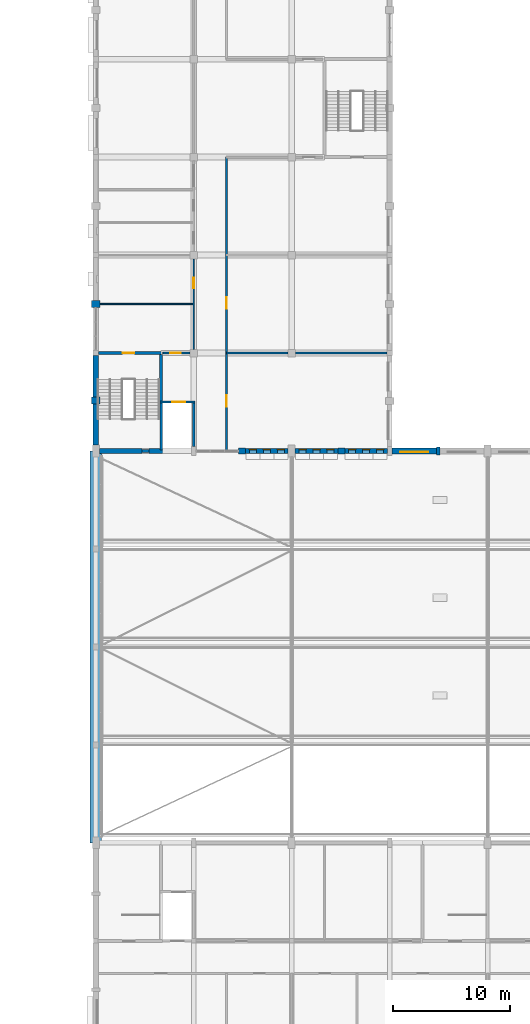
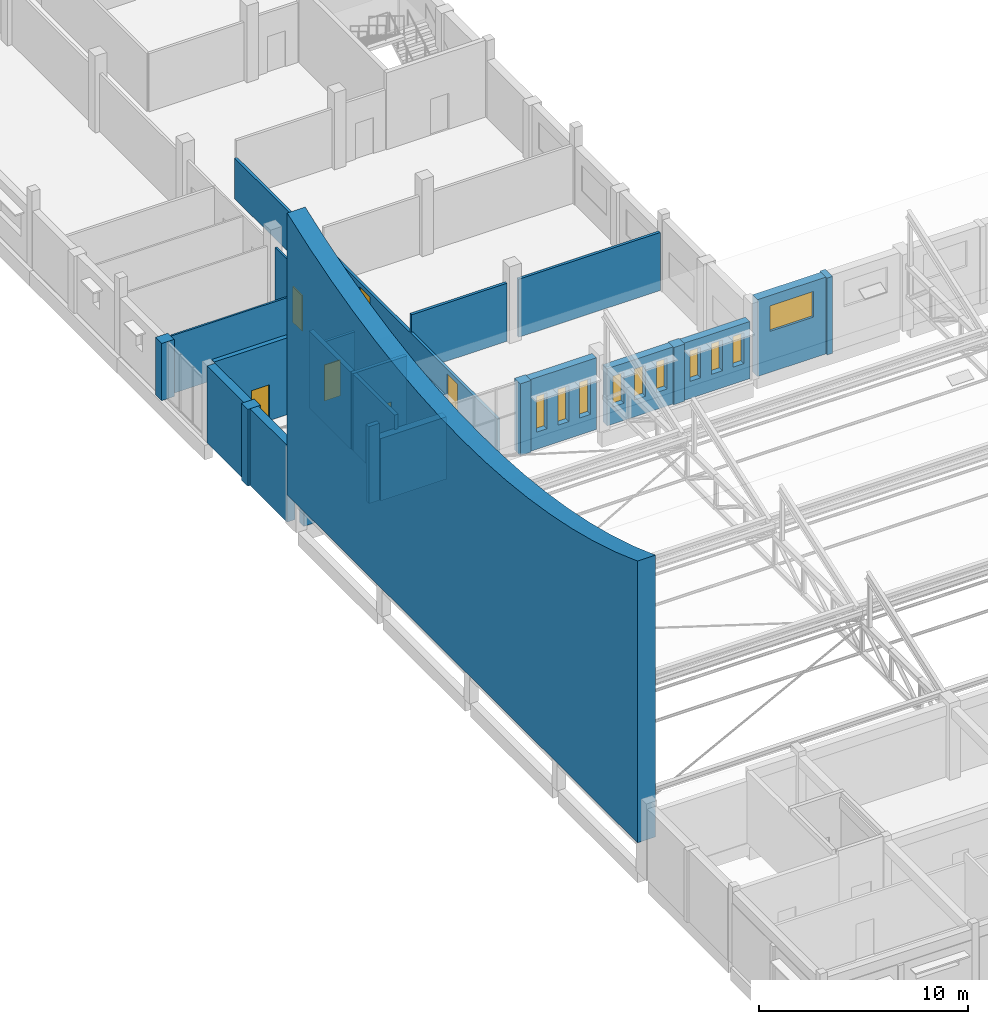
# One storey, part 72 of 101: 26 walls, 10 windows, 6 doors, 16 openings.
"""IFC4 building model written with IfcOpenShell, lengths in metres."""

from ifc_helpers import new_model, si_unit, direction, frame, frame_2d, origin, place, context, subcontext, project, spatial, polyline, rectangle, outline, extrude, material, layer, layer_set, type_object, element, fill, save


model = new_model("IFC4")

# Units and contexts
model_context = context("Model", 3, precision=1e-05, world=origin(), true_north=direction((0.0, 1.0)))
body_context = subcontext(model_context, "Body", "Model", "MODEL_VIEW")
ifc_project = project(units=[si_unit("LENGTHUNIT", "METRE"), si_unit("AREAUNIT", "SQUARE_METRE"), si_unit("VOLUMEUNIT", "CUBIC_METRE"), si_unit("PLANEANGLEUNIT", "RADIAN"), si_unit("MASSUNIT", "GRAM", prefix="KILO")], contexts=[model_context])

# Site, building, storey
site_placement = place(None, origin())
site = spatial("IfcSite", under=ifc_project, at=site_placement, CompositionType="ELEMENT")
building_placement = place(site_placement, origin())
building = spatial("IfcBuilding", under=site, at=building_placement, Name="Fescue Hill Polytechnic", CompositionType="ELEMENT")
storey_placement = place(building_placement, frame((0.0, 0.0, 9.0)))
storey = spatial("IfcBuildingStorey", under=building, at=storey_placement, Name="L02", CompositionType="ELEMENT", Elevation=9.0)

# Walls
ifc_material_1 = material(Name="Clay brick masonry", Category="masonry")
ifc_layer_1 = layer(ifc_material_1, 1.0)
ifc_layer_set_1 = layer_set([ifc_layer_1], Name="Clay brick masonry")
wall_type_1 = type_object("IfcWallType", Name="Brick crest wall 1000", PredefinedType="SOLIDWALL", material=ifc_layer_set_1)
wall_1_placement = place(storey_placement, frame((0.0, 16.800048828125, 2.0), z_axis=(0.0, 0.0, 1.0), x_axis=(0.0, 1.0, 0.0)))
element("IfcWall", 1, at=wall_1_placement, inside=storey, type_object=wall_type_1, Name="Hall west gable crest", PredefinedType="SOLIDWALL", context=body_context, shape_type="SweptSolid", body=[
    extrude(outline(polyline([(0.0, 0.0), (33.599853515625, 0.0), (33.60009765625, 16.5), (31.5, 15.7529296875), (29.39990234375, 15.115234375), (27.300048828125, 14.582763671875), (25.199951171875, 14.151611328125), (23.10009765625, 13.819091796875), (21.0, 13.5830078125), (18.89990234375, 13.44189453125), (16.800048828125, 13.39501953125), (14.699951171875, 13.44189453125), (12.60009765625, 13.5830078125), (10.5, 13.819091796875), (8.39990234375, 14.151611328125), (6.300048828125, 14.582763671875), (4.199951171875, 15.115234375), (2.10009765625, 15.7529296875), (0.0, 16.5), (0.0, 0.0)])), frame((0.0, 0.5, 0.0), z_axis=(0.0, -1.0, 0.0), x_axis=(1.0, 0.0, 0.0)), (0.0, 0.0, 1.0), 1.0),
])
ifc_layer_2 = layer(ifc_material_1, 0.550048828125)
ifc_layer_set_2 = layer_set([ifc_layer_2], Name="Clay brick masonry")
wall_type_2 = type_object("IfcWallType", Name="Brick pier 600x550", PredefinedType="SOLIDWALL", material=ifc_layer_set_2)
wall_2_placement = place(storey_placement, frame((12.25, 50.39990234375, 0.0), z_axis=(0.0, 0.0, 1.0), x_axis=(1.0, 0.0, 0.0)))
element("IfcWall", 2, at=wall_2_placement, inside=storey, type_object=wall_type_2, Name="PR-L02-V4-16", PredefinedType="SOLIDWALL", context=body_context, shape_type="SweptSolid", body=[
    extrude(rectangle(XDim=0.60009765625, YDim=0.550048828125, at=frame_2d((0.300048828125, 0.0))), origin(), (0.0, 0.0, 1.0), 4.199951171875),
])
wall_3_placement = place(storey_placement, frame((20.75, 50.39990234375, 0.0), z_axis=(0.0, 0.0, 1.0), x_axis=(1.0, 0.0, 0.0)))
element("IfcWall", 3, at=wall_3_placement, inside=storey, type_object=wall_type_2, Name="PR-L02-V4-17", PredefinedType="SOLIDWALL", context=body_context, shape_type="SweptSolid", body=[
    extrude(rectangle(XDim=0.60009765625, YDim=0.550048828125, at=frame_2d((0.300048828125, 0.0))), origin(), (0.0, 0.0, 1.0), 3.35009765625),
])

# Wall, opening, door
ifc_material_2 = material(Name="Concrete 40 MPa", Category="concrete")
ifc_layer_3 = layer(ifc_material_2, 0.25)
ifc_layer_set_3 = layer_set([ifc_layer_3], Name="Concrete 40 MPa")
wall_type_3 = type_object("IfcWallType", Name="Core wall 250", PredefinedType="SHEAR", material=ifc_layer_set_3)
wall_4_placement = place(storey_placement, frame((0.25, 58.800048828125, 0.0), z_axis=(0.0, 0.0, 1.0), x_axis=(1.0, 0.0, 0.0)))
wall_4 = element("IfcWall", 4, at=wall_4_placement, inside=storey, type_object=wall_type_3, Name="CW-L02-ST-V4-1-21", PredefinedType="SHEAR", context=body_context, shape_type="SweptSolid", body=[
    extrude(rectangle(XDim=5.47509765625, YDim=0.25, at=frame_2d((2.737548828125, 0.0))), origin(), (0.0, 0.0, 1.0), 4.5),
])
opening_1_placement = place(wall_4_placement, frame((2.050048828125, 0.0, 0.0)))
opening_1 = element("IfcOpeningElement", 5, at=opening_1_placement, cuts=wall_4, Name="Opening D2085", PredefinedType="OPENING", context=body_context, shape_type="SweptSolid", body=[
    extrude(rectangle(XDim=1.0, YDim=2.10009765625, at=frame_2d((0.5, 1.050048828125))), frame((0.0, 0.135009765625, 0.0), z_axis=(0.0, -1.0, 0.0), x_axis=(1.0, 0.0, 0.0)), (0.0, 0.0, 1.0), 0.27001953125),
])
ifc_material_3 = material(Name="Steel fire door", Category="steel")
door_type_1 = type_object("IfcDoorType", Name="Door single swing 1000x2100 stair fire rated", OperationType="NOTDEFINED", PredefinedType="DOOR", material=ifc_material_3)
door_1_placement = place(opening_1_placement, origin())
door_1 = element("IfcDoor", 6, at=door_1_placement, inside=storey, type_object=door_type_1, Name="L02 ST-V4-1 stair door", OperationType="SINGLE_SWING_LEFT", OverallHeight=2.10009765625, OverallWidth=1.0, PredefinedType="DOOR", context=body_context, shape_type="SweptSolid", body=[
    extrude(rectangle(XDim=1.0, YDim=2.10009765625, at=frame_2d((0.5, 1.050048828125))), frame((0.0, 0.02490234375, 0.0), z_axis=(0.0, -1.0, 0.0), x_axis=(1.0, 0.0, 0.0)), (0.0, 0.0, 1.0), 0.050048828125),
])
fill(opening_1, door_1)

# Walls
wall_5_placement = place(storey_placement, frame((5.60009765625, 54.610107421875, 0.0), z_axis=(0.0, 0.0, 1.0), x_axis=(0.0, 1.0, 0.0)))
element("IfcWall", 7, at=wall_5_placement, inside=storey, type_object=wall_type_3, Name="CW-L02-ST-V4-1-41", PredefinedType="SHEAR", context=body_context, shape_type="SweptSolid", body=[
    extrude(rectangle(XDim=4.06494140625, YDim=0.25, at=frame_2d((2.032470703125, 0.0))), origin(), (0.0, 0.0, 1.0), 4.5),
])
wall_6_placement = place(storey_placement, frame((3.949951171875, 50.39990234375, 0.0), z_axis=(0.0, 0.0, 1.0), x_axis=(1.0, 0.0, 0.0)))
element("IfcWall", 8, at=wall_6_placement, inside=storey, type_object=wall_type_3, Name="SCW-L02-ST-V4-1-s1", PredefinedType="SHEAR", context=body_context, shape_type="SweptSolid", body=[
    extrude(rectangle(XDim=0.60009765625, YDim=0.25, at=frame_2d((0.300048828125, 0.0))), origin(), (0.0, 0.0, 1.0), 4.5),
])
ifc_layer_4 = layer(ifc_material_2, 0.449951171875)
ifc_layer_set_4 = layer_set([ifc_layer_4], Name="Concrete 40 MPa")
wall_type_4 = type_object("IfcWallType", Name="Exterior wall board-marked concrete 450 load-bearing", PredefinedType="SOLIDWALL", material=ifc_layer_set_4)
wall_7_placement = place(storey_placement, frame((0.0, 58.574951171875, 0.0), z_axis=(0.0, 0.0, 1.0), x_axis=(0.0, -1.0, 0.0)))
element("IfcWall", 9, at=wall_7_placement, inside=storey, type_object=wall_type_4, Name="EW-L02-V4-27", PredefinedType="SOLIDWALL", context=body_context, shape_type="SweptSolid", body=[
    extrude(rectangle(XDim=3.537353515625, YDim=0.449951171875, at=frame_2d((1.7685546875, 0.0))), origin(), (0.0, 0.0, 1.0), 4.5),
])
wall_8_placement = place(storey_placement, frame((0.0, 54.4375, 0.0), z_axis=(0.0, 0.0, 1.0), x_axis=(0.0, -1.0, 0.0)))
element("IfcWall", 10, at=wall_8_placement, inside=storey, type_object=wall_type_4, Name="EW-L02-V4-28", PredefinedType="SOLIDWALL", context=body_context, shape_type="SweptSolid", body=[
    extrude(rectangle(XDim=3.53759765625, YDim=0.449951171875, at=frame_2d((1.768798828125, 0.0))), origin(), (0.0, 0.0, 1.0), 4.5),
])

# Wall, openings, windows
ifc_layer_5 = layer(ifc_material_1, 0.419921875)
ifc_layer_set_5 = layer_set([ifc_layer_5], Name="Clay brick masonry")
wall_type_5 = type_object("IfcWallType", Name="Exterior wall buff-red brick cavity 420", PredefinedType="SOLIDWALL", material=ifc_layer_set_5)
wall_9_placement = place(storey_placement, frame((12.85009765625, 50.39990234375, 0.0), z_axis=(0.0, 0.0, 1.0), x_axis=(1.0, 0.0, 0.0)))
wall_9 = element("IfcWall", 11, at=wall_9_placement, inside=storey, type_object=wall_type_5, Name="EW-L02-V4-32", PredefinedType="SOLIDWALL", context=body_context, shape_type="SweptSolid", body=[
    extrude(rectangle(XDim=3.64990234375, YDim=0.419921875, at=frame_2d((1.824951171875, 0.0))), origin(), (0.0, 0.0, 1.0), 4.199951171875),
])
opening_2_placement = place(wall_9_placement, frame((0.324951171875, 0.0, 1.0)))
opening_2 = element("IfcOpeningElement", 12, at=opening_2_placement, cuts=wall_9, Name="Opening W6", PredefinedType="OPENING", context=body_context, shape_type="SweptSolid", body=[
    extrude(rectangle(XDim=0.60009765625, YDim=2.10009765625, at=frame_2d((0.300048828125, 1.050048828125))), frame((0.0, 0.219970703125, 0.0), z_axis=(0.0, -1.0, 0.0), x_axis=(1.0, 0.0, 0.0)), (0.0, 0.0, 1.0), 0.43994140625),
])
opening_3_placement = place(wall_9_placement, frame((1.52490234375, 0.0, 1.0)))
opening_3 = element("IfcOpeningElement", 13, at=opening_3_placement, cuts=wall_9, Name="Opening W6", PredefinedType="OPENING", context=body_context, shape_type="SweptSolid", body=[
    extrude(rectangle(XDim=0.60009765625, YDim=2.10009765625, at=frame_2d((0.300048828125, 1.050048828125))), frame((0.0, 0.219970703125, 0.0), z_axis=(0.0, -1.0, 0.0), x_axis=(1.0, 0.0, 0.0)), (0.0, 0.0, 1.0), 0.43994140625),
])
opening_4_placement = place(wall_9_placement, frame((2.72509765625, 0.0, 1.0)))
opening_4 = element("IfcOpeningElement", 14, at=opening_4_placement, cuts=wall_9, Name="Opening W6", PredefinedType="OPENING", context=body_context, shape_type="SweptSolid", body=[
    extrude(rectangle(XDim=0.60009765625, YDim=2.10009765625, at=frame_2d((0.300048828125, 1.050048828125))), frame((0.0, 0.219970703125, 0.0), z_axis=(0.0, -1.0, 0.0), x_axis=(1.0, 0.0, 0.0)), (0.0, 0.0, 1.0), 0.43994140625),
])
ifc_material_4 = material(Name="Powder-coated aluminium and glass", Category="aluminium")
window_type_1 = type_object("IfcWindowType", Name="Window slot 600x2100", PartitioningType="SINGLE_PANEL", PredefinedType="WINDOW", material=ifc_material_4)
window_1_placement = place(opening_2_placement, origin())
window_1 = element("IfcWindow", 15, at=window_1_placement, inside=storey, type_object=window_type_1, Name="WN-L02-V4-18", OverallHeight=2.10009765625, OverallWidth=0.60009765625, PartitioningType="SINGLE_PANEL", PredefinedType="WINDOW", context=body_context, shape_type="SweptSolid", body=[
    extrude(rectangle(XDim=0.60009765625, YDim=2.10009765625, at=frame_2d((0.300048828125, 1.050048828125))), frame((0.0, 0.150146484375, 0.0), z_axis=(0.0, -1.0, 0.0), x_axis=(1.0, 0.0, 0.0)), (0.0, 0.0, 1.0), 0.06005859375),
])
fill(opening_2, window_1)
window_2_placement = place(opening_3_placement, origin())
window_2 = element("IfcWindow", 16, at=window_2_placement, inside=storey, type_object=window_type_1, Name="WN-L02-V4-19", OverallHeight=2.10009765625, OverallWidth=0.60009765625, PartitioningType="SINGLE_PANEL", PredefinedType="WINDOW", context=body_context, shape_type="SweptSolid", body=[
    extrude(rectangle(XDim=0.60009765625, YDim=2.10009765625, at=frame_2d((0.300048828125, 1.050048828125))), frame((0.0, 0.150146484375, 0.0), z_axis=(0.0, -1.0, 0.0), x_axis=(1.0, 0.0, 0.0)), (0.0, 0.0, 1.0), 0.06005859375),
])
fill(opening_3, window_2)
window_3_placement = place(opening_4_placement, origin())
window_3 = element("IfcWindow", 17, at=window_3_placement, inside=storey, type_object=window_type_1, Name="WN-L02-V4-20", OverallHeight=2.10009765625, OverallWidth=0.60009765625, PartitioningType="SINGLE_PANEL", PredefinedType="WINDOW", context=body_context, shape_type="SweptSolid", body=[
    extrude(rectangle(XDim=0.60009765625, YDim=2.10009765625, at=frame_2d((0.300048828125, 1.050048828125))), frame((0.0, 0.150146484375, 0.0), z_axis=(0.0, -1.0, 0.0), x_axis=(1.0, 0.0, 0.0)), (0.0, 0.0, 1.0), 0.06005859375),
])
fill(opening_4, window_3)

wall_10_placement = place(storey_placement, frame((17.10009765625, 50.39990234375, 0.0), z_axis=(0.0, 0.0, 1.0), x_axis=(1.0, 0.0, 0.0)))
wall_10 = element("IfcWall", 18, at=wall_10_placement, inside=storey, type_object=wall_type_5, Name="EW-L02-V4-33", PredefinedType="SOLIDWALL", context=body_context, shape_type="SweptSolid", body=[
    extrude(rectangle(XDim=3.64990234375, YDim=0.419921875, at=frame_2d((1.824951171875, 0.0))), origin(), (0.0, 0.0, 1.0), 3.35009765625),
])
opening_5_placement = place(wall_10_placement, frame((0.324951171875, 0.0, 1.0)))
opening_5 = element("IfcOpeningElement", 19, at=opening_5_placement, cuts=wall_10, Name="Opening W6R", PredefinedType="OPENING", context=body_context, shape_type="SweptSolid", body=[
    extrude(rectangle(XDim=0.60009765625, YDim=1.800048828125, at=frame_2d((0.300048828125, 0.89990234375))), frame((0.0, 0.219970703125, 0.0), z_axis=(0.0, -1.0, 0.0), x_axis=(1.0, 0.0, 0.0)), (0.0, 0.0, 1.0), 0.43994140625),
])
opening_6_placement = place(wall_10_placement, frame((1.52490234375, 0.0, 1.0)))
opening_6 = element("IfcOpeningElement", 20, at=opening_6_placement, cuts=wall_10, Name="Opening W6R", PredefinedType="OPENING", context=body_context, shape_type="SweptSolid", body=[
    extrude(rectangle(XDim=0.60009765625, YDim=1.800048828125, at=frame_2d((0.300048828125, 0.89990234375))), frame((0.0, 0.219970703125, 0.0), z_axis=(0.0, -1.0, 0.0), x_axis=(1.0, 0.0, 0.0)), (0.0, 0.0, 1.0), 0.43994140625),
])
opening_7_placement = place(wall_10_placement, frame((2.72509765625, 0.0, 1.0)))
opening_7 = element("IfcOpeningElement", 21, at=opening_7_placement, cuts=wall_10, Name="Opening W6R", PredefinedType="OPENING", context=body_context, shape_type="SweptSolid", body=[
    extrude(rectangle(XDim=0.60009765625, YDim=1.800048828125, at=frame_2d((0.300048828125, 0.89990234375))), frame((0.0, 0.219970703125, 0.0), z_axis=(0.0, -1.0, 0.0), x_axis=(1.0, 0.0, 0.0)), (0.0, 0.0, 1.0), 0.43994140625),
])
window_type_2 = type_object("IfcWindowType", Name="Window slot 600x1800", PartitioningType="SINGLE_PANEL", PredefinedType="WINDOW", material=ifc_material_4)
window_4_placement = place(opening_5_placement, origin())
window_4 = element("IfcWindow", 22, at=window_4_placement, inside=storey, type_object=window_type_2, Name="WN-L02-V4-21", OverallHeight=1.800048828125, OverallWidth=0.60009765625, PartitioningType="SINGLE_PANEL", PredefinedType="WINDOW", context=body_context, shape_type="SweptSolid", body=[
    extrude(rectangle(XDim=0.60009765625, YDim=1.800048828125, at=frame_2d((0.300048828125, 0.89990234375))), frame((0.0, 0.150146484375, 0.0), z_axis=(0.0, -1.0, 0.0), x_axis=(1.0, 0.0, 0.0)), (0.0, 0.0, 1.0), 0.06005859375),
])
fill(opening_5, window_4)
window_5_placement = place(opening_6_placement, origin())
window_5 = element("IfcWindow", 23, at=window_5_placement, inside=storey, type_object=window_type_2, Name="WN-L02-V4-22", OverallHeight=1.800048828125, OverallWidth=0.60009765625, PartitioningType="SINGLE_PANEL", PredefinedType="WINDOW", context=body_context, shape_type="SweptSolid", body=[
    extrude(rectangle(XDim=0.60009765625, YDim=1.800048828125, at=frame_2d((0.300048828125, 0.89990234375))), frame((0.0, 0.150146484375, 0.0), z_axis=(0.0, -1.0, 0.0), x_axis=(1.0, 0.0, 0.0)), (0.0, 0.0, 1.0), 0.06005859375),
])
fill(opening_6, window_5)
window_6_placement = place(opening_7_placement, origin())
window_6 = element("IfcWindow", 24, at=window_6_placement, inside=storey, type_object=window_type_2, Name="WN-L02-V4-23", OverallHeight=1.800048828125, OverallWidth=0.60009765625, PartitioningType="SINGLE_PANEL", PredefinedType="WINDOW", context=body_context, shape_type="SweptSolid", body=[
    extrude(rectangle(XDim=0.60009765625, YDim=1.800048828125, at=frame_2d((0.300048828125, 0.89990234375))), frame((0.0, 0.150146484375, 0.0), z_axis=(0.0, -1.0, 0.0), x_axis=(1.0, 0.0, 0.0)), (0.0, 0.0, 1.0), 0.06005859375),
])
fill(opening_7, window_6)

wall_11_placement = place(storey_placement, frame((21.35009765625, 50.39990234375, 0.0), z_axis=(0.0, 0.0, 1.0), x_axis=(1.0, 0.0, 0.0)))
wall_11 = element("IfcWall", 25, at=wall_11_placement, inside=storey, type_object=wall_type_5, Name="EW-L02-V4-34", PredefinedType="SOLIDWALL", context=body_context, shape_type="SweptSolid", body=[
    extrude(rectangle(XDim=3.64990234375, YDim=0.419921875, at=frame_2d((1.824951171875, 0.0))), origin(), (0.0, 0.0, 1.0), 3.35009765625),
])
opening_8_placement = place(wall_11_placement, frame((0.324951171875, 0.0, 1.0)))
opening_8 = element("IfcOpeningElement", 26, at=opening_8_placement, cuts=wall_11, Name="Opening W6R", PredefinedType="OPENING", context=body_context, shape_type="SweptSolid", body=[
    extrude(rectangle(XDim=0.60009765625, YDim=1.800048828125, at=frame_2d((0.300048828125, 0.89990234375))), frame((0.0, 0.219970703125, 0.0), z_axis=(0.0, -1.0, 0.0), x_axis=(1.0, 0.0, 0.0)), (0.0, 0.0, 1.0), 0.43994140625),
])
opening_9_placement = place(wall_11_placement, frame((1.52490234375, 0.0, 1.0)))
opening_9 = element("IfcOpeningElement", 27, at=opening_9_placement, cuts=wall_11, Name="Opening W6R", PredefinedType="OPENING", context=body_context, shape_type="SweptSolid", body=[
    extrude(rectangle(XDim=0.60009765625, YDim=1.800048828125, at=frame_2d((0.300048828125, 0.89990234375))), frame((0.0, 0.219970703125, 0.0), z_axis=(0.0, -1.0, 0.0), x_axis=(1.0, 0.0, 0.0)), (0.0, 0.0, 1.0), 0.43994140625),
])
opening_10_placement = place(wall_11_placement, frame((2.72509765625, 0.0, 1.0)))
opening_10 = element("IfcOpeningElement", 28, at=opening_10_placement, cuts=wall_11, Name="Opening W6R", PredefinedType="OPENING", context=body_context, shape_type="SweptSolid", body=[
    extrude(rectangle(XDim=0.60009765625, YDim=1.800048828125, at=frame_2d((0.300048828125, 0.89990234375))), frame((0.0, 0.219970703125, 0.0), z_axis=(0.0, -1.0, 0.0), x_axis=(1.0, 0.0, 0.0)), (0.0, 0.0, 1.0), 0.43994140625),
])
window_7_placement = place(opening_8_placement, origin())
window_7 = element("IfcWindow", 29, at=window_7_placement, inside=storey, type_object=window_type_2, Name="WN-L02-V4-24", OverallHeight=1.800048828125, OverallWidth=0.60009765625, PartitioningType="SINGLE_PANEL", PredefinedType="WINDOW", context=body_context, shape_type="SweptSolid", body=[
    extrude(rectangle(XDim=0.60009765625, YDim=1.800048828125, at=frame_2d((0.300048828125, 0.89990234375))), frame((0.0, 0.150146484375, 0.0), z_axis=(0.0, -1.0, 0.0), x_axis=(1.0, 0.0, 0.0)), (0.0, 0.0, 1.0), 0.06005859375),
])
fill(opening_8, window_7)
window_8_placement = place(opening_9_placement, origin())
window_8 = element("IfcWindow", 30, at=window_8_placement, inside=storey, type_object=window_type_2, Name="WN-L02-V4-25", OverallHeight=1.800048828125, OverallWidth=0.60009765625, PartitioningType="SINGLE_PANEL", PredefinedType="WINDOW", context=body_context, shape_type="SweptSolid", body=[
    extrude(rectangle(XDim=0.60009765625, YDim=1.800048828125, at=frame_2d((0.300048828125, 0.89990234375))), frame((0.0, 0.150146484375, 0.0), z_axis=(0.0, -1.0, 0.0), x_axis=(1.0, 0.0, 0.0)), (0.0, 0.0, 1.0), 0.06005859375),
])
fill(opening_9, window_8)
window_9_placement = place(opening_10_placement, origin())
window_9 = element("IfcWindow", 31, at=window_9_placement, inside=storey, type_object=window_type_2, Name="WN-L02-V4-26", OverallHeight=1.800048828125, OverallWidth=0.60009765625, PartitioningType="SINGLE_PANEL", PredefinedType="WINDOW", context=body_context, shape_type="SweptSolid", body=[
    extrude(rectangle(XDim=0.60009765625, YDim=1.800048828125, at=frame_2d((0.300048828125, 0.89990234375))), frame((0.0, 0.150146484375, 0.0), z_axis=(0.0, -1.0, 0.0), x_axis=(1.0, 0.0, 0.0)), (0.0, 0.0, 1.0), 0.06005859375),
])
fill(opening_10, window_9)

# Walls
ifc_layer_6 = layer(ifc_material_1, 0.419921875)
ifc_layer_set_6 = layer_set([ifc_layer_6], Name="Clay brick masonry")
wall_type_6 = type_object("IfcWallType", Name="Exterior wall buff-red brick cavity 420 load-bearing", PredefinedType="SOLIDWALL", material=ifc_layer_set_6)
for number, where, z_axis, x_axis, name in (
    (32, (0.300048828125, 50.39990234375, 0.0), (0.0, 0.0, 1.0), (1.0, 0.0, 0.0), "EW-L02-V4-29"),
    (33, (4.550048828125, 50.39990234375, 0.0), (0.0, 0.0, 1.0), (1.0, 0.0, 0.0), "EW-L02-V4-30"),
):
    element("IfcWall", number, at=place(storey_placement, frame(where, z_axis=z_axis, x_axis=x_axis)), inside=storey, type_object=wall_type_6, Name=name, PredefinedType="SOLIDWALL", context=body_context, shape_type="SweptSolid", body=[
        extrude(rectangle(XDim=3.64990234375, YDim=0.419921875, at=frame_2d((1.824951171875, 0.0))), origin(), (0.0, 0.0, 1.0), 3.64990234375),
    ])

# Wall, opening, window
ifc_layer_7 = layer(ifc_material_1, 0.47998046875)
ifc_layer_set_7 = layer_set([ifc_layer_7], Name="Clay brick masonry")
wall_type_7 = type_object("IfcWallType", Name="Exterior wall engineering brick cavity 480", PredefinedType="SOLIDWALL", material=ifc_layer_set_7)
wall_12_placement = place(storey_placement, frame((29.199951171875, 50.39990234375, 0.0), z_axis=(0.0, 0.0, 1.0), x_axis=(-1.0, 0.0, 0.0)))
wall_12 = element("IfcWall", 34, at=wall_12_placement, inside=storey, type_object=wall_type_7, Name="EW-L02-V1-72", PredefinedType="SOLIDWALL", context=body_context, shape_type="SweptSolid", body=[
    extrude(rectangle(XDim=3.800048828125, YDim=0.47998046875, at=frame_2d((1.89990234375, 0.0))), origin(), (0.0, 0.0, 1.0), 4.5),
])
opening_11_placement = place(wall_12_placement, frame((0.699951171875, 0.0, 2.39990234375)))
opening_11 = element("IfcOpeningElement", 35, at=opening_11_placement, cuts=wall_12, Name="Opening W2", PredefinedType="OPENING", context=body_context, shape_type="SweptSolid", body=[
    extrude(rectangle(XDim=2.39990234375, YDim=1.5, at=frame_2d((1.199951171875, 0.75))), frame((0.0, 0.25, 0.0), z_axis=(0.0, -1.0, 0.0), x_axis=(1.0, 0.0, 0.0)), (0.0, 0.0, 1.0), 0.5),
])
window_type_3 = type_object("IfcWindowType", Name="Window workshop high 2400x1500", PartitioningType="TRIPLE_PANEL_VERTICAL", PredefinedType="WINDOW", material=ifc_material_4)
window_10_placement = place(opening_11_placement, origin())
window_10 = element("IfcWindow", 36, at=window_10_placement, inside=storey, type_object=window_type_3, Name="WN-L02-V1-48", OverallHeight=1.5, OverallWidth=2.39990234375, PartitioningType="SINGLE_PANEL", PredefinedType="WINDOW", context=body_context, shape_type="SweptSolid", body=[
    extrude(rectangle(XDim=2.39990234375, YDim=1.5, at=frame_2d((1.199951171875, 0.75))), frame((0.0, 0.1201171875, 0.0), z_axis=(0.0, -1.0, 0.0), x_axis=(1.0, 0.0, 0.0)), (0.0, 0.0, 1.0), 0.06005859375),
])
fill(opening_11, window_10)

# Walls
ifc_layer_8 = layer(ifc_material_2, 0.699951171875)
ifc_layer_set_8 = layer_set([ifc_layer_8], Name="Concrete 40 MPa")
wall_type_8 = type_object("IfcWallType", Name="Fin wall board-marked 300x700", PredefinedType="SOLIDWALL", material=ifc_layer_set_8)
wall_13_placement = place(storey_placement, frame((29.5, 50.39990234375, 0.0), z_axis=(0.0, 0.0, 1.0), x_axis=(-1.0, 0.0, 0.0)))
element("IfcWall", 37, at=wall_13_placement, inside=storey, type_object=wall_type_8, Name="PR-L02-V1-29", PredefinedType="SOLIDWALL", context=body_context, shape_type="SweptSolid", body=[
    extrude(rectangle(XDim=0.300048828125, YDim=0.699951171875, at=frame_2d((0.14990234375, 0.0))), origin(), (0.0, 0.0, 1.0), 4.5),
])
ifc_layer_9 = layer(ifc_material_2, 0.699951171875)
ifc_layer_set_9 = layer_set([ifc_layer_9], Name="Concrete 40 MPa")
wall_type_9 = type_object("IfcWallType", Name="Fin wall board-marked 600x700", PredefinedType="SOLIDWALL", material=ifc_layer_set_9)
wall_14_placement = place(storey_placement, frame((0.0, 63.300048828125, 0.0), z_axis=(0.0, 0.0, 1.0), x_axis=(0.0, -1.0, 0.0)))
element("IfcWall", 38, at=wall_14_placement, inside=storey, type_object=wall_type_9, Name="PR-L02-V4-13", PredefinedType="SOLIDWALL", context=body_context, shape_type="SweptSolid", body=[
    extrude(rectangle(XDim=0.60009765625, YDim=0.699951171875, at=frame_2d((0.300048828125, 0.0))), origin(), (0.0, 0.0, 1.0), 3.35009765625),
])
wall_15_placement = place(storey_placement, frame((0.0, 55.03759765625, 0.0), z_axis=(0.0, 0.0, 1.0), x_axis=(0.0, -1.0, 0.0)))
element("IfcWall", 39, at=wall_15_placement, inside=storey, type_object=wall_type_9, Name="PR-L02-V4-14", PredefinedType="SOLIDWALL", context=body_context, shape_type="SweptSolid", body=[
    extrude(rectangle(XDim=0.60009765625, YDim=0.699951171875, at=frame_2d((0.300048828125, 0.0))), origin(), (0.0, 0.0, 1.0), 4.5),
])
ifc_material_5 = material(Name="Concrete masonry block 15 MPa", Category="masonry")
ifc_layer_10 = layer(ifc_material_5, 0.14990234375)
ifc_layer_set_10 = layer_set([ifc_layer_10], Name="Concrete masonry block 15 MPa")
wall_type_10 = type_object("IfcWallType", Name="Laboratory wall 150 block EI 60", PredefinedType="PARTITIONING", material=ifc_layer_set_10)
wall_16_placement = place(storey_placement, frame((11.199951171875, 58.800048828125, 0.0), z_axis=(0.0, 0.0, 1.0), x_axis=(1.0, 0.0, 0.0)))
element("IfcWall", 40, at=wall_16_placement, inside=storey, type_object=wall_type_10, Name="IW-L02-029", PredefinedType="PARTITIONING", context=body_context, shape_type="SweptSolid", body=[
    extrude(rectangle(XDim=5.275146484375, YDim=0.14990234375, at=frame_2d((2.6376953125, 0.0))), origin(), (0.0, 0.0, 1.0), 3.39990234375),
])
wall_17_placement = place(storey_placement, frame((17.125, 58.800048828125, 0.0), z_axis=(0.0, 0.0, 1.0), x_axis=(1.0, 0.0, 0.0)))
element("IfcWall", 41, at=wall_17_placement, inside=storey, type_object=wall_type_10, Name="IW-L02-030", PredefinedType="PARTITIONING", context=body_context, shape_type="SweptSolid", body=[
    extrude(rectangle(XDim=7.85009765625, YDim=0.14990234375, at=frame_2d((3.925048828125, 0.0))), origin(), (0.0, 0.0, 1.0), 3.39990234375),
])

# Wall, openings, doors
wall_18_placement = place(storey_placement, frame((11.199951171875, 50.39990234375, 0.0), z_axis=(0.0, 0.0, 1.0), x_axis=(0.0, 1.0, 0.0)))
wall_18 = element("IfcWall", 42, at=wall_18_placement, inside=storey, type_object=wall_type_10, Name="IW-L02-086", PredefinedType="PARTITIONING", context=body_context, shape_type="SweptSolid", body=[
    extrude(rectangle(XDim=25.2001953125, YDim=0.14990234375, at=frame_2d((12.60009765625, 0.0))), origin(), (0.0, 0.0, 1.0), 2.3701171875),
])
opening_12_placement = place(wall_18_placement, frame((3.800048828125, 0.0, 0.0)))
opening_12 = element("IfcOpeningElement", 43, at=opening_12_placement, cuts=wall_18, Name="Opening D2042", PredefinedType="OPENING", context=body_context, shape_type="SweptSolid", body=[
    extrude(rectangle(XDim=1.0, YDim=2.10009765625, at=frame_2d((0.5, 1.050048828125))), frame((0.0, 0.0849609375, 0.0), z_axis=(0.0, -1.0, 0.0), x_axis=(1.0, 0.0, 0.0)), (0.0, 0.0, 1.0), 0.169921875),
])
opening_13_placement = place(wall_18_placement, frame((12.199951171875, 0.0, 0.0)))
opening_13 = element("IfcOpeningElement", 44, at=opening_13_placement, cuts=wall_18, Name="Opening D2043", PredefinedType="OPENING", context=body_context, shape_type="SweptSolid", body=[
    extrude(rectangle(XDim=1.0, YDim=2.10009765625, at=frame_2d((0.5, 1.050048828125))), frame((0.0, 0.0849609375, 0.0), z_axis=(0.0, -1.0, 0.0), x_axis=(1.0, 0.0, 0.0)), (0.0, 0.0, 1.0), 0.169921875),
])
ifc_material_6 = material(Name="Steel", Category="steel")
door_type_2 = type_object("IfcDoorType", Name="Door single swing 1000x2100 FD60", OperationType="SINGLE_SWING_LEFT", PredefinedType="DOOR", material=ifc_material_6)
door_2_placement = place(opening_12_placement, origin())
door_2 = element("IfcDoor", 45, at=door_2_placement, inside=storey, type_object=door_type_2, Name="Door D2042", OperationType="SINGLE_SWING_LEFT", OverallHeight=2.10009765625, OverallWidth=1.0, PredefinedType="DOOR", context=body_context, shape_type="SweptSolid", body=[
    extrude(rectangle(XDim=1.0, YDim=2.10009765625, at=frame_2d((0.5, 1.050048828125))), frame((0.0, 0.02490234375, 0.0), z_axis=(0.0, -1.0, 0.0), x_axis=(1.0, 0.0, 0.0)), (0.0, 0.0, 1.0), 0.050048828125),
])
fill(opening_12, door_2)
door_3_placement = place(opening_13_placement, origin())
door_3 = element("IfcDoor", 46, at=door_3_placement, inside=storey, type_object=door_type_2, Name="Door D2043", OperationType="SINGLE_SWING_RIGHT", OverallHeight=2.10009765625, OverallWidth=1.0, PredefinedType="DOOR", context=body_context, shape_type="SweptSolid", body=[
    extrude(rectangle(XDim=1.0, YDim=2.10009765625, at=frame_2d((0.5, 1.050048828125))), frame((0.0, 0.02490234375, 0.0), z_axis=(0.0, -1.0, 0.0), x_axis=(1.0, 0.0, 0.0)), (0.0, 0.0, 1.0), 0.050048828125),
])
fill(opening_13, door_3)

# Wall, opening, door
ifc_layer_11 = layer(ifc_material_2, 0.199951171875)
ifc_layer_set_11 = layer_set([ifc_layer_11], Name="Concrete 40 MPa")
wall_type_11 = type_object("IfcWallType", Name="Lift shaft wall 200", PredefinedType="SHEAR", material=ifc_layer_set_11)
wall_19_placement = place(storey_placement, frame((5.5, 54.60009765625, 0.0), z_axis=(0.0, 0.0, 1.0), x_axis=(1.0, 0.0, 0.0)))
wall_19 = element("IfcWall", 47, at=wall_19_placement, inside=storey, type_object=wall_type_11, Name="CW-L02-LF-V4-1-21", PredefinedType="SHEAR", context=body_context, shape_type="SweptSolid", body=[
    extrude(rectangle(XDim=3.0, YDim=0.199951171875, at=frame_2d((1.5, 0.0))), origin(), (0.0, 0.0, 1.0), 4.5),
])
opening_14_placement = place(wall_19_placement, frame((1.050048828125, 0.0, 0.0)))
opening_14 = element("IfcOpeningElement", 48, at=opening_14_placement, cuts=wall_19, Name="Opening LD4-L02", PredefinedType="OPENING", context=body_context, shape_type="SweptSolid", body=[
    extrude(rectangle(XDim=1.10009765625, YDim=2.10009765625, at=frame_2d((0.550048828125, 1.050048828125))), frame((0.0, 0.10986328125, 0.0), z_axis=(0.0, -1.0, 0.0), x_axis=(1.0, 0.0, 0.0)), (0.0, 0.0, 1.0), 0.219970703125),
])
ifc_material_7 = material(Name="Stainless steel", Category="steel")
door_type_3 = type_object("IfcDoorType", Name="Lift landing door sliding 1100x2100", OperationType="SLIDING_TO_LEFT", PredefinedType="DOOR", material=ifc_material_7)
door_4_placement = place(opening_14_placement, origin())
door_4 = element("IfcDoor", 49, at=door_4_placement, inside=storey, type_object=door_type_3, Name="L02 LF-V4-1 lift landing door", OperationType="SLIDING_TO_LEFT", OverallHeight=2.10009765625, OverallWidth=1.10009765625, PredefinedType="DOOR", context=body_context, shape_type="SweptSolid", body=[
    extrude(rectangle(XDim=1.10009765625, YDim=2.10009765625, at=frame_2d((0.550048828125, 1.050048828125))), frame((0.0, 0.02490234375, 0.0), z_axis=(0.0, -1.0, 0.0), x_axis=(1.0, 0.0, 0.0)), (0.0, 0.0, 1.0), 0.050048828125),
])
fill(opening_14, door_4)

# Walls
wall_20_placement = place(storey_placement, frame((5.60009765625, 50.5, 0.0), z_axis=(0.0, 0.0, 1.0), x_axis=(0.0, 1.0, 0.0)))
element("IfcWall", 50, at=wall_20_placement, inside=storey, type_object=wall_type_11, Name="CW-L02-LF-V4-1-31", PredefinedType="SHEAR", context=body_context, shape_type="SweptSolid", body=[
    extrude(rectangle(XDim=4.0, YDim=0.199951171875, at=frame_2d((2.0, 0.0))), origin(), (0.0, 0.0, 1.0), 4.5),
])
wall_21_placement = place(storey_placement, frame((8.39990234375, 50.800048828125, 0.0), z_axis=(0.0, 0.0, 1.0), x_axis=(0.0, 1.0, 0.0)))
element("IfcWall", 51, at=wall_21_placement, inside=storey, type_object=wall_type_11, Name="CW-L02-LF-V4-1-41", PredefinedType="SHEAR", context=body_context, shape_type="SweptSolid", body=[
    extrude(rectangle(XDim=3.699951171875, YDim=0.199951171875, at=frame_2d((1.85009765625, 0.0))), origin(), (0.0, 0.0, 1.0), 4.5),
])

# Wall, opening, door
ifc_material_8 = material(Name="Gypsum board partition")
ifc_layer_12 = layer(ifc_material_8, 0.14990234375)
ifc_layer_set_12 = layer_set([ifc_layer_12], Name="Gypsum board partition")
wall_type_12 = type_object("IfcWallType", Name="Lobby wall 150 EI 60", PredefinedType="PARTITIONING", material=ifc_layer_set_12)
wall_22_placement = place(storey_placement, frame((5.75, 58.800048828125, 0.0), z_axis=(0.0, 0.0, 1.0), x_axis=(1.0, 0.0, 0.0)))
wall_22 = element("IfcWall", 52, at=wall_22_placement, inside=storey, type_object=wall_type_12, Name="IW-L02-031", PredefinedType="PARTITIONING", context=body_context, shape_type="SweptSolid", body=[
    extrude(rectangle(XDim=2.324951171875, YDim=0.14990234375, at=frame_2d((1.16259765625, 0.0))), origin(), (0.0, 0.0, 1.0), 3.5),
])
opening_15_placement = place(wall_22_placement, frame((0.64990234375, 0.0, 0.0)))
opening_15 = element("IfcOpeningElement", 53, at=opening_15_placement, cuts=wall_22, Name="Opening D2036", PredefinedType="OPENING", context=body_context, shape_type="SweptSolid", body=[
    extrude(rectangle(XDim=0.89990234375, YDim=2.10009765625, at=frame_2d((0.449951171875, 1.050048828125))), frame((0.0, 0.0849609375, 0.0), z_axis=(0.0, -1.0, 0.0), x_axis=(1.0, 0.0, 0.0)), (0.0, 0.0, 1.0), 0.169921875),
])
door_type_4 = type_object("IfcDoorType", Name="Door single swing 900x2100 FD60", OperationType="SINGLE_SWING_LEFT", PredefinedType="DOOR", material=ifc_material_6)
door_5_placement = place(opening_15_placement, origin())
door_5 = element("IfcDoor", 54, at=door_5_placement, inside=storey, type_object=door_type_4, Name="Door D2036", OperationType="SINGLE_SWING_LEFT", OverallHeight=2.10009765625, OverallWidth=0.89990234375, PredefinedType="DOOR", context=body_context, shape_type="SweptSolid", body=[
    extrude(rectangle(XDim=0.89990234375, YDim=2.10009765625, at=frame_2d((0.449951171875, 1.050048828125))), frame((0.0, 0.02490234375, 0.0), z_axis=(0.0, -1.0, 0.0), x_axis=(1.0, 0.0, 0.0)), (0.0, 0.0, 1.0), 0.050048828125),
])
fill(opening_15, door_5)

# Wall
ifc_layer_13 = layer(ifc_material_8, 0.10009765625)
ifc_layer_set_13 = layer_set([ifc_layer_13], Name="Gypsum board partition")
wall_type_13 = type_object("IfcWallType", Name="WC partition 100 moisture resistant", PredefinedType="PARTITIONING", material=ifc_layer_set_13)
wall_23_placement = place(storey_placement, frame((0.35009765625, 63.0, 0.0), z_axis=(0.0, 0.0, 1.0), x_axis=(1.0, 0.0, 0.0)))
element("IfcWall", 55, at=wall_23_placement, inside=storey, type_object=wall_type_13, Name="IW-L02-032", PredefinedType="PARTITIONING", context=body_context, shape_type="SweptSolid", body=[
    extrude(rectangle(XDim=8.0498046875, YDim=0.10009765625, at=frame_2d((4.02490234375, 0.0))), origin(), (0.0, 0.0, 1.0), 3.39990234375),
])

# Wall, opening, door
wall_24_placement = place(storey_placement, frame((8.39990234375, 59.125, 0.0), z_axis=(0.0, 0.0, 1.0), x_axis=(0.0, 1.0, 0.0)))
wall_24 = element("IfcWall", 56, at=wall_24_placement, inside=storey, type_object=wall_type_13, Name="IW-L02-082", PredefinedType="PARTITIONING", context=body_context, shape_type="SweptSolid", body=[
    extrude(rectangle(XDim=7.75, YDim=0.10009765625, at=frame_2d((3.875, 0.0))), origin(), (0.0, 0.0, 1.0), 3.39990234375),
])
opening_16_placement = place(wall_24_placement, frame((5.22509765625, 0.0, 0.0)))
opening_16 = element("IfcOpeningElement", 57, at=opening_16_placement, cuts=wall_24, Name="Opening D2037", PredefinedType="OPENING", context=body_context, shape_type="SweptSolid", body=[
    extrude(rectangle(XDim=0.89990234375, YDim=2.10009765625, at=frame_2d((0.449951171875, 1.050048828125))), frame((0.0, 0.06005859375, 0.0), z_axis=(0.0, -1.0, 0.0), x_axis=(1.0, 0.0, 0.0)), (0.0, 0.0, 1.0), 0.1201171875),
])
ifc_material_9 = material(Name="Timber", Category="wood")
door_type_5 = type_object("IfcDoorType", Name="Door single swing 900x2100 WC", OperationType="SINGLE_SWING_LEFT", PredefinedType="DOOR", material=ifc_material_9)
door_6_placement = place(opening_16_placement, origin())
door_6 = element("IfcDoor", 58, at=door_6_placement, inside=storey, type_object=door_type_5, Name="Door D2037", OperationType="SINGLE_SWING_RIGHT", OverallHeight=2.10009765625, OverallWidth=0.89990234375, PredefinedType="DOOR", context=body_context, shape_type="SweptSolid", body=[
    extrude(rectangle(XDim=0.89990234375, YDim=2.10009765625, at=frame_2d((0.449951171875, 1.050048828125))), frame((0.0, 0.02490234375, 0.0), z_axis=(0.0, -1.0, 0.0), x_axis=(1.0, 0.0, 0.0)), (0.0, 0.0, 1.0), 0.050048828125),
])
fill(opening_16, door_6)

save(model, "model.ifc")
